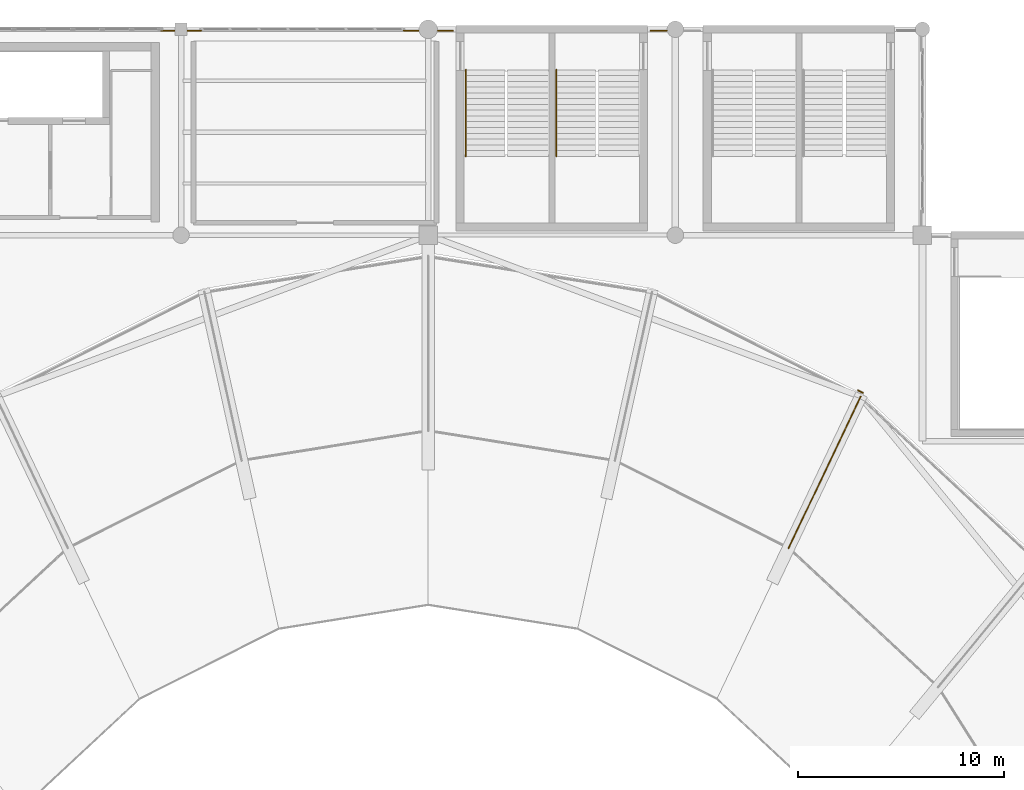
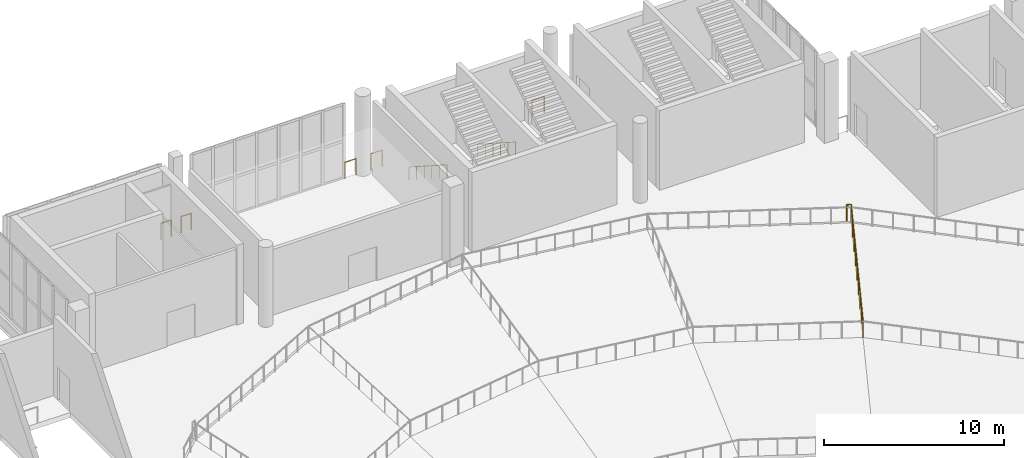
# One storey, part 71 of 74: 9 railings.
"""IFC4 building model written with IfcOpenShell, lengths in metres."""

from ifc_helpers import new_model, si_unit, direction, frame, origin, origin_2d, place, context, subcontext, project, spatial, circle, extrude, material, type_object, element, save


model = new_model("IFC4")

# Units and contexts
model_context = context("Model", 3, precision=1e-05, world=origin(), true_north=direction((0.0, 1.0)))
body_context = subcontext(model_context, "Body", "Model", "MODEL_VIEW")
ifc_project = project(units=[si_unit("LENGTHUNIT", "METRE"), si_unit("AREAUNIT", "SQUARE_METRE"), si_unit("VOLUMEUNIT", "CUBIC_METRE"), si_unit("PLANEANGLEUNIT", "RADIAN"), si_unit("MASSUNIT", "GRAM", prefix="KILO")], contexts=[model_context])

# Site, building, storey
site_placement = place(None, origin())
site = spatial("IfcSite", under=ifc_project, at=site_placement, CompositionType="ELEMENT")
building_placement = place(site_placement, origin())
building = spatial("IfcBuilding", under=site, at=building_placement, Name="Brinegate Civic Arena", CompositionType="ELEMENT")
storey_placement = place(building_placement, frame((0.0, 0.0, 19.199951171875)))
storey = spatial("IfcBuildingStorey", under=building, at=storey_placement, Name="L04", CompositionType="ELEMENT", Elevation=19.199951171875)

# Railings
ifc_material = material(Name="Architectural stainless steel balustrade", Category="steel")
railing_type_1 = type_object("IfcRailingType", Name="RAIL-BOWL-BARRIER-1100", PredefinedType="GUARDRAIL", material=ifc_material)
railing_1_placement = place(storey_placement, frame((125.5, 98.805908203125, -2.074951171875)))
element("IfcRailing", 1, at=railing_1_placement, inside=storey, type_object=railing_type_1, Name="Upper Bowl Radial Aisle Guard RAD-05", PredefinedType="GUARDRAIL", context=body_context, shape_type="SweptSolid", body=[
    extrude(circle(Radius=0.02392578125, at=origin_2d()), frame((0.000732421875, 0.001220703125, 1.096435546875), z_axis=(0.416133336918, 0.8751978405, 0.246701815741), x_axis=(-0.903111725779, 0.429405648263, 0.0)), (0.0, 0.0, 1.0), 8.40771484375),
    extrude(circle(Radius=0.02099609375, at=origin_2d()), origin(), (0.0, 0.0, 1.0), 1.070068359375),
    extrude(circle(Radius=0.02099609375, at=origin_2d()), frame((0.4375, 0.920166015625, 0.25927734375)), (0.0, 0.0, 1.0), 1.070068359375),
    extrude(circle(Radius=0.02099609375, at=origin_2d()), frame((0.875, 1.84033203125, 0.518798828125)), (0.0, 0.0, 1.0), 1.070068359375),
    extrude(circle(Radius=0.02099609375, at=origin_2d()), frame((1.3125, 2.760498046875, 0.778076171875)), (0.0, 0.0, 1.0), 1.070068359375),
    extrude(circle(Radius=0.02099609375, at=origin_2d()), frame((1.75, 3.6806640625, 1.03759765625)), (0.0, 0.0, 1.0), 1.070068359375),
    extrude(circle(Radius=0.02099609375, at=origin_2d()), frame((2.1875, 4.6005859375, 1.296875)), (0.0, 0.0, 1.0), 1.070068359375),
    extrude(circle(Radius=0.02099609375, at=origin_2d()), frame((2.625, 5.520751953125, 1.55615234375)), (0.0, 0.0, 1.0), 1.070068359375),
    extrude(circle(Radius=0.02099609375, at=origin_2d()), frame((3.0625, 6.44091796875, 1.815673828125)), (0.0, 0.0, 1.0), 1.070068359375),
    extrude(circle(Radius=0.02099609375, at=origin_2d()), frame((3.5, 7.361083984375, 2.074951171875)), (0.0, 0.0, 1.0), 1.070068359375),
])
railing_type_2 = type_object("IfcRailingType", Name="RAIL-STAIR-HANDRAIL-900", PredefinedType="HANDRAIL", material=ifc_material)
for number, where, name in (
    (2, (109.824951171875, 117.830078125, 2.699951171875), "Stair Pitch Handrail ST-15A L04"),
    (3, (114.22509765625, 117.830078125, 2.699951171875), "Stair Pitch Handrail ST-15B L04"),
):
    element("IfcRailing", number, at=place(storey_placement, frame(where)), inside=storey, type_object=railing_type_2, Name=name, PredefinedType="HANDRAIL", context=body_context, shape_type="SweptSolid", body=[
        extrude(circle(Radius=0.02392578125, at=origin_2d()), frame((0.0, 0.001220703125, 0.875), z_axis=(0.0, 0.841180064094, -0.540755119968), x_axis=(-1.0, 0.0, 0.0)), (0.0, 0.0, 1.0), 4.989990234375),
        extrude(circle(Radius=0.02099609375, at=origin_2d()), origin(), (0.0, 0.0, 1.0), 0.849853515625),
        extrude(circle(Radius=0.02099609375, at=origin_2d()), frame((0.0, 0.840087890625, -0.5400390625)), (0.0, 0.0, 1.0), 0.849853515625),
        extrude(circle(Radius=0.02099609375, at=origin_2d()), frame((0.0, 1.679931640625, -1.080078125)), (0.0, 0.0, 1.0), 0.849853515625),
        extrude(circle(Radius=0.02099609375, at=origin_2d()), frame((0.0, 2.52001953125, -1.619873046875)), (0.0, 0.0, 1.0), 0.849853515625),
        extrude(circle(Radius=0.02099609375, at=origin_2d()), frame((0.0, 3.35986328125, -2.159912109375)), (0.0, 0.0, 1.0), 0.849853515625),
        extrude(circle(Radius=0.02099609375, at=origin_2d()), frame((0.0, 4.199951171875, -2.699951171875)), (0.0, 0.0, 1.0), 0.849853515625),
    ])
railing_type_3 = type_object("IfcRailingType", Name="RAIL-VOID-BALUSTRADE-1120", PredefinedType="BALUSTRADE", material=ifc_material)
for number, where, name in (
    (4, (95.02587890625, 123.929931640625, 0.0), "Deck Edge Balustrade L04-335"),
    (5, (96.320068359375, 123.929931640625, 0.0), "Deck Edge Balustrade L04-336"),
):
    element("IfcRailing", number, at=place(storey_placement, frame(where)), inside=storey, type_object=railing_type_3, Name=name, PredefinedType="BALUSTRADE", context=body_context, shape_type="SweptSolid", body=[
        extrude(circle(Radius=0.02392578125, at=origin_2d()), frame((0.00146484375, 0.0, 1.09619140625), z_axis=(1.0, 0.0, 0.0), x_axis=(0.0, 1.0, 0.0)), (0.0, 0.0, 1.0), 0.651123046875),
        extrude(circle(Radius=0.02099609375, at=origin_2d()), origin(), (0.0, 0.0, 1.0), 1.070068359375),
        extrude(circle(Radius=0.02099609375, at=origin_2d()), frame((0.654052734375, 0.0, 0.0)), (0.0, 0.0, 1.0), 1.070068359375),
    ])
railing_2_placement = place(storey_placement, frame((106.81396484375, 123.929931640625, 0.0)))
element("IfcRailing", 6, at=railing_2_placement, inside=storey, type_object=railing_type_3, Name="Deck Edge Balustrade L04-337", PredefinedType="BALUSTRADE", context=body_context, shape_type="SweptSolid", body=[
    extrude(circle(Radius=0.02392578125, at=origin_2d()), frame((0.00146484375, 0.0, 1.09619140625), z_axis=(1.0, 0.0, 0.0), x_axis=(0.0, 1.0, 0.0)), (0.0, 0.0, 1.0), 0.713134765625),
    extrude(circle(Radius=0.02099609375, at=origin_2d()), origin(), (0.0, 0.0, 1.0), 1.070068359375),
    extrude(circle(Radius=0.02099609375, at=origin_2d()), frame((0.716064453125, 0.0, 0.0)), (0.0, 0.0, 1.0), 1.070068359375),
])
railing_3_placement = place(storey_placement, frame((108.469970703125, 123.929931640625, 0.0)))
element("IfcRailing", 7, at=railing_3_placement, inside=storey, type_object=railing_type_3, Name="Deck Edge Balustrade L04-338", PredefinedType="BALUSTRADE", context=body_context, shape_type="SweptSolid", body=[
    extrude(circle(Radius=0.02392578125, at=origin_2d()), frame((0.00146484375, 0.0, 1.09619140625), z_axis=(1.0, 0.0, 0.0), x_axis=(0.0, 1.0, 0.0)), (0.0, 0.0, 1.0), 0.72705078125),
    extrude(circle(Radius=0.02099609375, at=origin_2d()), origin(), (0.0, 0.0, 1.0), 1.070068359375),
    extrude(circle(Radius=0.02099609375, at=origin_2d()), frame((0.72998046875, 0.0, 0.0)), (0.0, 0.0, 1.0), 1.070068359375),
])
railing_4_placement = place(storey_placement, frame((118.800048828125, 123.929931640625, 0.0)))
element("IfcRailing", 8, at=railing_4_placement, inside=storey, type_object=railing_type_3, Name="Deck Edge Balustrade L04-339", PredefinedType="BALUSTRADE", context=body_context, shape_type="SweptSolid", body=[
    extrude(circle(Radius=0.02392578125, at=origin_2d()), frame((0.00146484375, 0.0, 1.09619140625), z_axis=(1.0, 0.0, 0.0), x_axis=(0.0, 1.0, 0.0)), (0.0, 0.0, 1.0), 0.777099609375),
    extrude(circle(Radius=0.02099609375, at=origin_2d()), origin(), (0.0, 0.0, 1.0), 1.070068359375),
    extrude(circle(Radius=0.02099609375, at=origin_2d()), frame((0.780029296875, 0.0, 0.0)), (0.0, 0.0, 1.0), 1.070068359375),
])
railing_5_placement = place(storey_placement, frame((129.112060546875, 106.344970703125, 0.0)))
element("IfcRailing", 9, at=railing_5_placement, inside=storey, type_object=railing_type_3, Name="Deck Edge Balustrade L04-390", PredefinedType="BALUSTRADE", context=body_context, shape_type="SweptSolid", body=[
    extrude(circle(Radius=0.02392578125, at=origin_2d()), frame((-0.001220703125, 0.000732421875, 1.09619140625), z_axis=(-0.891297475213, 0.453419023288, 0.0), x_axis=(-0.453419023288, -0.891297475213, 0.0)), (0.0, 0.0, 1.0), 0.26416015625),
    extrude(circle(Radius=0.02099609375, at=origin_2d()), origin(), (0.0, 0.0, 1.0), 1.070068359375),
    extrude(circle(Radius=0.02099609375, at=origin_2d()), frame((-0.238037109375, 0.12109375, 0.0)), (0.0, 0.0, 1.0), 1.070068359375),
])

save(model, "model.ifc")
